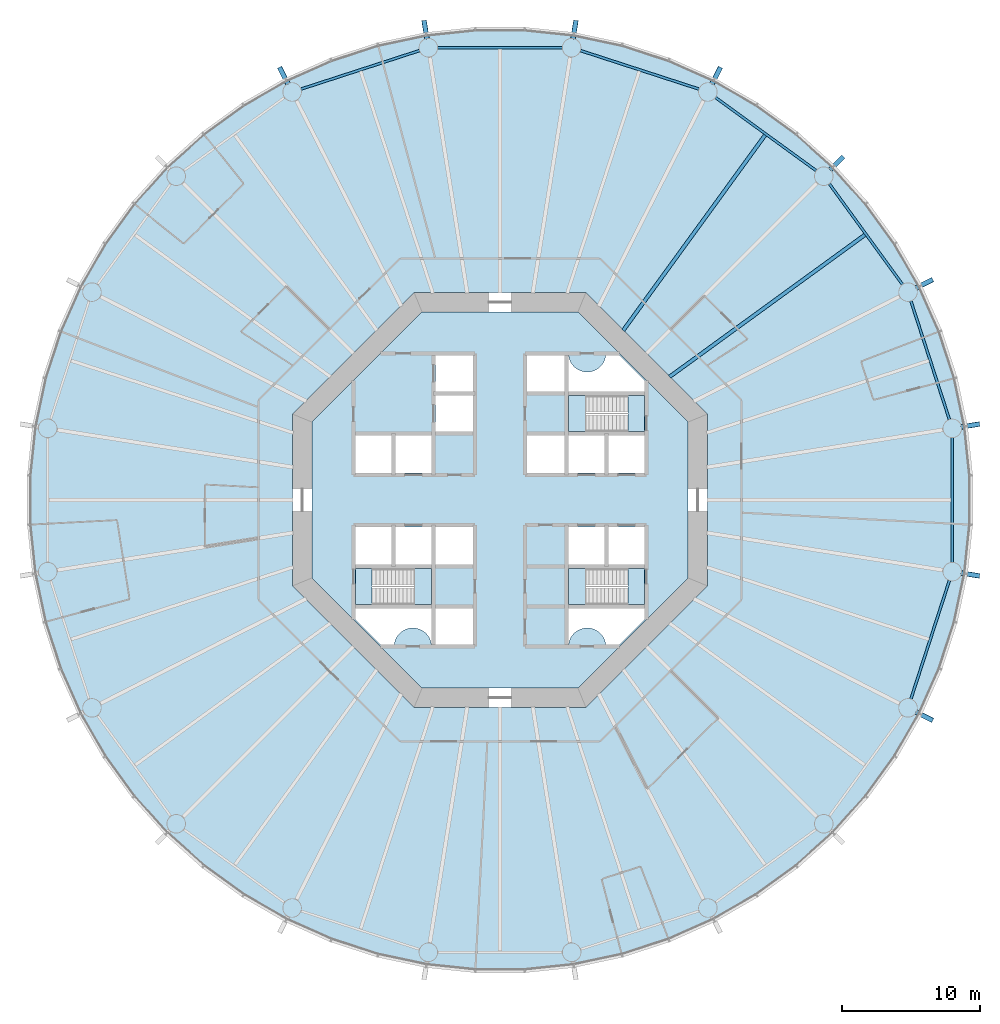
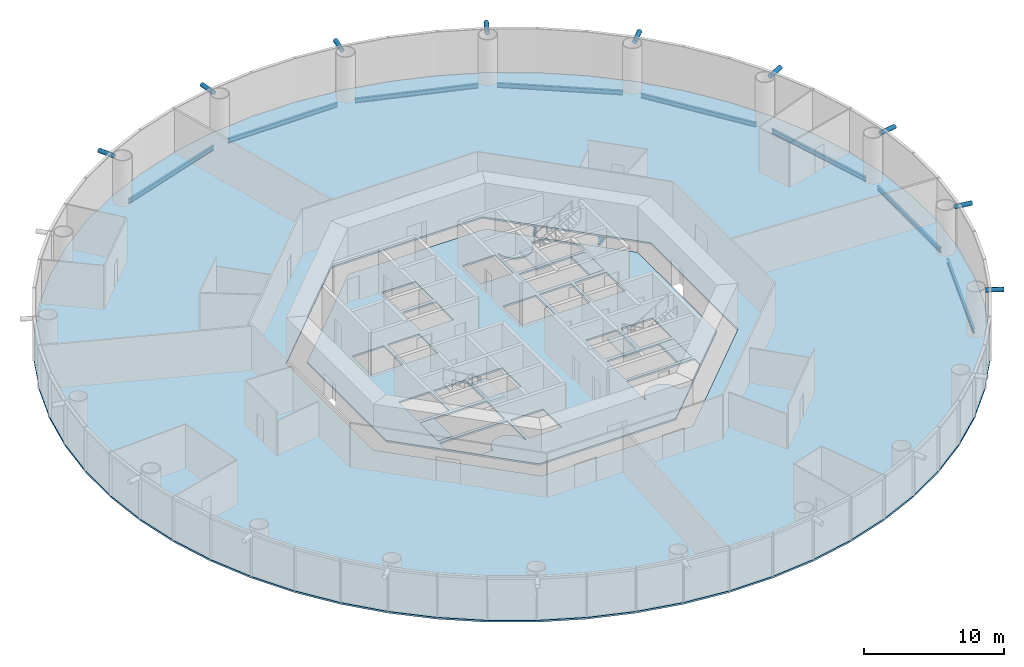
# One storey, part 2 of 12: 10 beams, 9 members, 8 slabs, 3 elements without a shape of their own.
"""IFC4 building model written with IfcOpenShell, lengths in metres."""

from ifc_helpers import new_model, si_unit, direction, frame, origin, origin_2d, place, context, subcontext, project, spatial, polyline, circle, hollow_circle, i_section, outline, extrude, material, layer, layer_set, material_profile, profile_set, type_object, element, aggregate, save


model = new_model("IFC4")

# Units and contexts
model_context = context("Model", 3, precision=1e-05, world=origin(), true_north=direction((0.0, 1.0)))
body_context = subcontext(model_context, "Body", "Model", "MODEL_VIEW")
ifc_project = project(units=[si_unit("LENGTHUNIT", "METRE"), si_unit("AREAUNIT", "SQUARE_METRE"), si_unit("VOLUMEUNIT", "CUBIC_METRE"), si_unit("PLANEANGLEUNIT", "RADIAN"), si_unit("MASSUNIT", "GRAM", prefix="KILO")], contexts=[model_context])

# Site, building, storey
site_placement = place(None, origin())
site = spatial("IfcSite", under=ifc_project, at=site_placement, CompositionType="ELEMENT")
building_placement = place(site_placement, origin())
building = spatial("IfcBuilding", under=site, at=building_placement, Name="Entoto Ring Tower", CompositionType="ELEMENT")
storey_placement = place(building_placement, frame((0.0, 0.0, 70.0)))
storey = spatial("IfcBuildingStorey", under=building, at=storey_placement, Name="L15", CompositionType="ELEMENT", Elevation=70.0)

# Members
ifc_material_1 = material(Name="Steel S355", Category="steel")
ifc_material_profile_1 = material_profile(ifc_material_1, hollow_circle(Radius=0.177734375, WallThickness=0.01611328125, at=origin_2d()), Name="CHS 355.6 x 16")
ifc_material_2 = material(Name="Concrete C60/75", Category="concrete")
ifc_material_profile_2 = material_profile(ifc_material_2, circle(Radius=0.161865234375, at=origin_2d()), Name="Concrete C60/75 infill")
ifc_profile_set_1 = profile_set([ifc_material_profile_1, ifc_material_profile_2], Name="Steel S355")
member_type = type_object("IfcMemberType", Name="Diagrid node strut 355.6 x 16", PredefinedType="STRUT", material=ifc_profile_set_1)
member_1_placement = place(storey_placement, frame((123.34130859375, 85.28076171875, 3.672119140625), z_axis=(0.987678819889, 0.156494564579, 0.0), x_axis=(-0.156494564579, 0.987678819889, 0.0)))
element("IfcMember", 1, at=member_1_placement, inside=storey, type_object=member_type, Name="DS1 strut ring 4 01", PredefinedType="STRUT", context=body_context, shape_type="SweptSolid", body=[
    extrude(hollow_circle(Radius=0.177734375, WallThickness=0.01611328125, at=origin_2d()), origin(), (0.0, 0.0, 1.0), 1.34326171875),
])
member_2_placement = place(storey_placement, frame((120.07763671875, 95.325439453125, 3.672119140625), z_axis=(0.891057529727, 0.453890381829, 0.0), x_axis=(-0.453890381829, 0.891057529727, 0.0)))
element("IfcMember", 2, at=member_2_placement, inside=storey, type_object=member_type, Name="DS1 strut ring 4 02", PredefinedType="STRUT", context=body_context, shape_type="SweptSolid", body=[
    extrude(hollow_circle(Radius=0.177734375, WallThickness=0.01611328125, at=origin_2d()), origin(), (0.0, 0.0, 1.0), 1.343017578125),
])
member_3_placement = place(storey_placement, frame((113.869873046875, 103.869873046875, 3.672119140625), z_axis=(0.707106781187, 0.707106781187, 0.0), x_axis=(-0.707106781187, 0.707106781187, 0.0)))
element("IfcMember", 3, at=member_3_placement, inside=storey, type_object=member_type, Name="DS1 strut ring 4 03", PredefinedType="STRUT", context=body_context, shape_type="SweptSolid", body=[
    extrude(hollow_circle(Radius=0.177734375, WallThickness=0.01611328125, at=origin_2d()), origin(), (0.0, 0.0, 1.0), 1.3427734375),
])
member_4_placement = place(storey_placement, frame((105.325439453125, 110.07763671875, 3.672119140625), z_axis=(0.453890381829, 0.891057529727, 0.0), x_axis=(-0.891057529727, 0.453890381829, 0.0)))
element("IfcMember", 4, at=member_4_placement, inside=storey, type_object=member_type, Name="DS1 strut ring 4 04", PredefinedType="STRUT", context=body_context, shape_type="SweptSolid", body=[
    extrude(hollow_circle(Radius=0.177734375, WallThickness=0.01611328125, at=origin_2d()), origin(), (0.0, 0.0, 1.0), 1.343017578125),
])
for number, where, z_axis, x_axis, name in (
    (5, (95.28076171875, 113.34130859375, 3.672119140625), (0.156494564579, 0.987678819889, 0.0), (-0.987678819889, 0.156494564579, 0.0), "DS1 strut ring 4 05"),
    (6, (84.71923828125, 113.34130859375, 3.672119140625), (-0.156494564579, 0.987678819889, 0.0), (-0.987678819889, -0.156494564579, 0.0), "DS1 strut ring 4 06"),
):
    element("IfcMember", number, at=place(storey_placement, frame(where, z_axis=z_axis, x_axis=x_axis)), inside=storey, type_object=member_type, Name=name, PredefinedType="STRUT", context=body_context, shape_type="SweptSolid", body=[
        extrude(hollow_circle(Radius=0.177734375, WallThickness=0.01611328125, at=origin_2d()), origin(), (0.0, 0.0, 1.0), 1.34326171875),
    ])
for number, where, z_axis, x_axis, name in (
    (7, (74.674560546875, 110.07763671875, 3.672119140625), (-0.453890381829, 0.891057529727, 0.0), (-0.891057529727, -0.453890381829, 0.0), "DS1 strut ring 4 07"),
    (8, (120.07763671875, 64.674560546875, 3.672119140625), (0.891057529727, -0.453890381829, 0.0), (0.453890381829, 0.891057529727, 0.0), "DS1 strut ring 4 19"),
):
    element("IfcMember", number, at=place(storey_placement, frame(where, z_axis=z_axis, x_axis=x_axis)), inside=storey, type_object=member_type, Name=name, PredefinedType="STRUT", context=body_context, shape_type="SweptSolid", body=[
        extrude(hollow_circle(Radius=0.177734375, WallThickness=0.01611328125, at=origin_2d()), origin(), (0.0, 0.0, 1.0), 1.343017578125),
    ])
member_5_placement = place(storey_placement, frame((123.34130859375, 74.71923828125, 3.672119140625), z_axis=(0.987678819889, -0.156494564579, 0.0), x_axis=(0.156494564579, 0.987678819889, 0.0)))
element("IfcMember", 9, at=member_5_placement, inside=storey, type_object=member_type, Name="DS1 strut ring 4 20", PredefinedType="STRUT", context=body_context, shape_type="SweptSolid", body=[
    extrude(hollow_circle(Radius=0.177734375, WallThickness=0.01611328125, at=origin_2d()), origin(), (0.0, 0.0, 1.0), 1.34326171875),
])

# Beams
ifc_material_3 = material(Name="Steel S355", Category="steel")
ifc_material_profile_3 = material_profile(ifc_material_3, i_section(OverallWidth=0.179931640625, OverallDepth=0.39990234375, WebThickness=0.008544921875, FlangeThickness=0.013427734375, FilletRadius=0.02099609375, at=origin_2d()), Name="IPE 400")
ifc_profile_set_2 = profile_set([ifc_material_profile_3], Name="Steel S355")
beam_type_1 = type_object("IfcBeamType", Name="Edge beam IPE 400", PredefinedType="SPANDREL", material=ifc_profile_set_2)
for number, where, z_axis, x_axis, name in (
    (10, (122.484130859375, 85.819091796875, -0.35009765625), (-0.309006400295, 0.951059958455, 0.0), (-0.951059958455, -0.309006400295, 0.0), "Edge beam L15 01"),
    (11, (119.09619140625, 95.572509765625, -0.35009765625), (-0.587792917156, 0.80901142547, 0.0), (-0.80901142547, -0.587792917156, 0.0), "Edge beam L15 02"),
    (12, (112.85986328125, 103.801513671875, -0.35009765625), (-0.80901142547, 0.587792917156, 0.0), (-0.587792917156, -0.80901142547, 0.0), "Edge beam L15 03"),
    (13, (104.385986328125, 109.70068359375, -0.35009765625), (-0.951059958455, 0.309006400295, 0.0), (-0.309006400295, -0.951059958455, 0.0), "Edge beam L15 04"),
    (14, (94.50390625, 112.6923828125, -0.35009765625), (-1.0, 0.0, 0.0), (0.0, -1.0, 0.0), "Edge beam L15 05"),
    (15, (84.180908203125, 112.484130859375, -0.35009765625), (-0.951059958455, -0.309006400295, 0.0), (0.309006400295, -0.951059958455, 0.0), "Edge beam L15 06"),
    (16, (119.70068359375, 65.614013671875, -0.35009765625), (0.309006400295, 0.951059958455, 0.0), (-0.951059958455, 0.309006400295, 0.0), "Edge beam L15 19"),
    (17, (122.6923828125, 75.49609375, -0.35009765625), (0.0, 1.0, 0.0), (-1.0, 0.0, 0.0), "Edge beam L15 20"),
):
    element("IfcBeam", number, at=place(storey_placement, frame(where, z_axis=z_axis, x_axis=x_axis)), inside=storey, type_object=beam_type_1, Name=name, PredefinedType="SPANDREL", context=body_context, shape_type="SweptSolid", body=[
        extrude(i_section(OverallWidth=0.179931640625, OverallDepth=0.39990234375, WebThickness=0.008544921875, FlangeThickness=0.013427734375, FilletRadius=0.02099609375, at=origin_2d()), origin(), (0.0, 0.0, 1.0), 9.0078125),
    ])
ifc_material_4 = material(Name="Steel S355", Category="steel")
ifc_material_profile_4 = material_profile(ifc_material_4, i_section(OverallWidth=0.262939453125, OverallDepth=0.7529296875, WebThickness=0.011474609375, FlangeThickness=0.01708984375, FilletRadius=0.01708984375, at=origin_2d()), Name="IPE 750 x 137")
ifc_profile_set_3 = profile_set([ifc_material_profile_4], Name="Steel S355")
beam_type_2 = type_object("IfcBeamType", Name="Secondary floor beam IPE 750 x 137", PredefinedType="JOIST", material=ifc_profile_set_3)
for number, where, z_axis, x_axis, name in (
    (18, (102.25341796875, 88.902587890625, -0.526611328125), (0.809014194973, 0.58778910532, 0.0), (-0.58778910532, 0.809014194973, 0.0), "Secondary beam L15 02"),
    (19, (98.902587890625, 92.25341796875, -0.526611328125), (0.58778910532, 0.809014194973, 0.0), (-0.809014194973, 0.58778910532, 0.0), "Secondary beam L15 03"),
):
    element("IfcBeam", number, at=place(storey_placement, frame(where, z_axis=z_axis, x_axis=x_axis)), inside=storey, type_object=beam_type_2, Name=name, PredefinedType="JOIST", context=body_context, shape_type="SweptSolid", body=[
        extrude(i_section(OverallWidth=0.262939453125, OverallDepth=0.7529296875, WebThickness=0.011474609375, FlangeThickness=0.01708984375, FilletRadius=0.01708984375, at=origin_2d()), origin(), (0.0, 0.0, 1.0), 17.45654296875),
    ])

# Slabs
ifc_material_5 = material(Name="Concrete C30/37", Category="concrete")
ifc_layer_1 = layer(ifc_material_5, 0.14990234375)
ifc_layer_set_1 = layer_set([ifc_layer_1], Name="Concrete C30/37")
slab_type_1 = type_object("IfcSlabType", Name="Composite floor slab 150 mm", PredefinedType="FLOOR", material=ifc_layer_set_1)
slab_1_placement = place(storey_placement, frame((0.0, 0.0, -0.14990234375)))
element("IfcSlab", 20, at=slab_1_placement, inside=storey, type_object=slab_type_1, Name="Floor slab L15", PredefinedType="FLOOR", context=body_context, shape_type="SweptSolid", body=[
    extrude(outline(polyline([(123.68017578125, 85.33447265625), (122.93798828125, 88.82568359375), (121.835205078125, 92.220458984375), (120.38330078125, 95.48095703125), (118.5986328125, 98.572265625), (116.500732421875, 101.459716796875), (114.1123046875, 104.1123046875), (111.459716796875, 106.500732421875), (108.572265625, 108.5986328125), (105.48095703125, 110.38330078125), (102.220458984375, 111.835205078125), (98.82568359375, 112.93798828125), (95.33447265625, 113.68017578125), (91.78466796875, 114.05322265625), (88.21533203125, 114.05322265625), (84.66552734375, 113.68017578125), (81.17431640625, 112.93798828125), (77.779541015625, 111.835205078125), (74.51904296875, 110.38330078125), (71.427734375, 108.5986328125), (68.540283203125, 106.500732421875), (65.8876953125, 104.1123046875), (63.499267578125, 101.459716796875), (61.4013671875, 98.572265625), (59.61669921875, 95.48095703125), (58.164794921875, 92.220458984375), (57.06201171875, 88.82568359375), (56.31982421875, 85.33447265625), (55.94677734375, 81.78466796875), (55.94677734375, 78.21533203125), (56.31982421875, 74.66552734375), (57.06201171875, 71.17431640625), (58.164794921875, 67.779541015625), (59.61669921875, 64.51904296875), (61.4013671875, 61.427734375), (63.499267578125, 58.540283203125), (65.8876953125, 55.8876953125), (68.540283203125, 53.499267578125), (71.427734375, 51.4013671875), (74.51904296875, 49.61669921875), (77.779541015625, 48.164794921875), (81.17431640625, 47.06201171875), (84.66552734375, 46.31982421875), (88.21533203125, 45.94677734375), (91.78466796875, 45.94677734375), (95.33447265625, 46.31982421875), (98.82568359375, 47.06201171875), (102.220458984375, 48.164794921875), (105.48095703125, 49.61669921875), (108.572265625, 51.4013671875), (111.459716796875, 53.499267578125), (114.1123046875, 55.8876953125), (116.500732421875, 58.540283203125), (118.5986328125, 61.427734375), (120.38330078125, 64.51904296875), (121.835205078125, 67.779541015625), (122.93798828125, 71.17431640625), (123.68017578125, 74.66552734375), (124.05322265625, 78.21533203125), (124.05322265625, 81.78466796875), (123.68017578125, 85.33447265625)]), holes=[polyline([(105.0, 73.786865234375), (105.0, 86.213134765625), (96.213134765625, 95.0), (83.786865234375, 95.0), (75.0, 86.213134765625), (75.0, 73.786865234375), (83.786865234375, 65.0), (96.213134765625, 65.0), (105.0, 73.786865234375)])]), origin(), (0.0, 0.0, 1.0), 0.14990234375),
])
ifc_material_6 = material(Name="Concrete C40/50", Category="concrete")
ifc_layer_2 = layer(ifc_material_6, 0.14990234375)
ifc_layer_set_2 = layer_set([ifc_layer_2], Name="Concrete C40/50")
slab_type_2 = type_object("IfcSlabType", Name="Core floor slab 150 mm reinforced concrete C40/50", PredefinedType="FLOOR", material=ifc_layer_set_2)
slab_2_placement = place(storey_placement, frame((0.0, 0.0, -0.14990234375)))
element("IfcSlab", 21, at=slab_2_placement, inside=storey, type_object=slab_type_2, Name="Core floor L15", PredefinedType="FLOOR", context=body_context, shape_type="SweptSolid", body=[
    extrude(outline(polyline([(103.60009765625, 74.36669921875), (103.60009765625, 85.63330078125), (95.63330078125, 93.60009765625), (84.36669921875, 93.60009765625), (76.39990234375, 85.63330078125), (76.39990234375, 74.36669921875), (84.36669921875, 66.39990234375), (95.63330078125, 66.39990234375), (103.60009765625, 74.36669921875)]), holes=[polyline([(100.449951171875, 84.949951171875), (100.449951171875, 87.550048828125), (94.949951171875, 87.550048828125), (94.949951171875, 84.949951171875), (100.449951171875, 84.949951171875)]), polyline([(85.050048828125, 72.449951171875), (85.050048828125, 75.050048828125), (79.550048828125, 75.050048828125), (79.550048828125, 72.449951171875), (85.050048828125, 72.449951171875)]), polyline([(100.449951171875, 72.449951171875), (100.449951171875, 75.050048828125), (94.949951171875, 75.050048828125), (94.949951171875, 72.449951171875), (100.449951171875, 72.449951171875)]), polyline([(94.949951171875, 81.949951171875), (97.550048828125, 81.949951171875), (97.550048828125, 84.64990234375), (94.949951171875, 84.64990234375), (94.949951171875, 81.949951171875)]), polyline([(97.85009765625, 81.949951171875), (100.449951171875, 81.949951171875), (100.449951171875, 84.64990234375), (97.85009765625, 84.64990234375), (97.85009765625, 81.949951171875)]), polyline([(82.449951171875, 81.949951171875), (85.050048828125, 81.949951171875), (85.050048828125, 84.64990234375), (82.449951171875, 84.64990234375), (82.449951171875, 81.949951171875)]), polyline([(94.949951171875, 75.35009765625), (97.550048828125, 75.35009765625), (97.550048828125, 78.050048828125), (94.949951171875, 78.050048828125), (94.949951171875, 75.35009765625)]), polyline([(97.85009765625, 75.35009765625), (100.449951171875, 75.35009765625), (100.449951171875, 78.050048828125), (97.85009765625, 78.050048828125), (97.85009765625, 75.35009765625)]), polyline([(82.449951171875, 75.35009765625), (85.050048828125, 75.35009765625), (85.050048828125, 78.050048828125), (82.449951171875, 78.050048828125), (82.449951171875, 75.35009765625)]), polyline([(79.550048828125, 81.949951171875), (82.14990234375, 81.949951171875), (82.14990234375, 84.64990234375), (79.550048828125, 84.64990234375), (79.550048828125, 81.949951171875)]), polyline([(79.550048828125, 75.35009765625), (82.14990234375, 75.35009765625), (82.14990234375, 78.050048828125), (79.550048828125, 78.050048828125), (79.550048828125, 75.35009765625)]), polyline([(91.949951171875, 87.85009765625), (94.64990234375, 87.85009765625), (94.64990234375, 90.449951171875), (91.949951171875, 90.449951171875), (91.949951171875, 87.85009765625)]), polyline([(85.35009765625, 69.550048828125), (88.050048828125, 69.550048828125), (88.050048828125, 72.14990234375), (85.35009765625, 72.14990234375), (85.35009765625, 69.550048828125)]), polyline([(91.949951171875, 81.949951171875), (94.64990234375, 81.949951171875), (94.64990234375, 84.64990234375), (91.949951171875, 84.64990234375), (91.949951171875, 81.949951171875)]), polyline([(85.35009765625, 75.35009765625), (88.050048828125, 75.35009765625), (88.050048828125, 78.050048828125), (85.35009765625, 78.050048828125), (85.35009765625, 75.35009765625)]), polyline([(85.35009765625, 84.949951171875), (88.050048828125, 84.949951171875), (88.050048828125, 87.550048828125), (85.35009765625, 87.550048828125), (85.35009765625, 84.949951171875)]), polyline([(85.35009765625, 87.85009765625), (88.050048828125, 87.85009765625), (88.050048828125, 90.449951171875), (85.35009765625, 90.449951171875), (85.35009765625, 87.85009765625)]), polyline([(94.89990234375, 90.5), (94.89990234375, 87.800048828125), (100.5, 87.800048828125), (100.5, 88.591796875), (98.591796875, 90.5), (97.64501953125, 90.5), (97.6435546875, 90.4677734375), (97.6240234375, 90.336669921875), (97.591796875, 90.2080078125), (97.547119140625, 90.08349609375), (97.490478515625, 89.963623046875), (97.422607421875, 89.85009765625), (97.343505859375, 89.74365234375), (97.254638671875, 89.6455078125), (97.156494140625, 89.556396484375), (97.050048828125, 89.4775390625), (96.936279296875, 89.409423828125), (96.816650390625, 89.352783203125), (96.69189453125, 89.30810546875), (96.5634765625, 89.27587890625), (96.432373046875, 89.256591796875), (96.300048828125, 89.25), (96.167724609375, 89.256591796875), (96.03662109375, 89.27587890625), (95.908203125, 89.30810546875), (95.783447265625, 89.352783203125), (95.66357421875, 89.409423828125), (95.550048828125, 89.4775390625), (95.443603515625, 89.556396484375), (95.345458984375, 89.6455078125), (95.25634765625, 89.74365234375), (95.177490234375, 89.85009765625), (95.109375, 89.963623046875), (95.052734375, 90.08349609375), (95.008056640625, 90.2080078125), (94.975830078125, 90.336669921875), (94.95654296875, 90.4677734375), (94.954833984375, 90.5), (94.89990234375, 90.5)]), polyline([(79.5, 71.408203125), (81.408203125, 69.5), (82.35498046875, 69.5), (82.3564453125, 69.5322265625), (82.3759765625, 69.663330078125), (82.408203125, 69.7919921875), (82.452880859375, 69.91650390625), (82.509521484375, 70.036376953125), (82.577392578125, 70.14990234375), (82.656494140625, 70.25634765625), (82.745361328125, 70.3544921875), (82.843505859375, 70.443603515625), (82.949951171875, 70.5224609375), (83.063720703125, 70.590576171875), (83.183349609375, 70.647216796875), (83.30810546875, 70.69189453125), (83.4365234375, 70.72412109375), (83.567626953125, 70.743408203125), (83.699951171875, 70.75), (83.832275390625, 70.743408203125), (83.96337890625, 70.72412109375), (84.091796875, 70.69189453125), (84.216552734375, 70.647216796875), (84.33642578125, 70.590576171875), (84.449951171875, 70.5224609375), (84.556396484375, 70.443603515625), (84.654541015625, 70.3544921875), (84.74365234375, 70.25634765625), (84.822509765625, 70.14990234375), (84.890625, 70.036376953125), (84.947265625, 69.91650390625), (84.991943359375, 69.7919921875), (85.024169921875, 69.663330078125), (85.04345703125, 69.5322265625), (85.045166015625, 69.5), (85.10009765625, 69.5), (85.10009765625, 72.199951171875), (79.5, 72.199951171875), (79.5, 71.408203125)]), polyline([(97.64501953125, 69.5), (98.591796875, 69.5), (100.5, 71.408203125), (100.5, 72.199951171875), (94.89990234375, 72.199951171875), (94.89990234375, 69.5), (94.954833984375, 69.5), (94.95654296875, 69.5322265625), (94.975830078125, 69.663330078125), (95.008056640625, 69.7919921875), (95.052734375, 69.91650390625), (95.109375, 70.036376953125), (95.177490234375, 70.14990234375), (95.25634765625, 70.25634765625), (95.345458984375, 70.3544921875), (95.443603515625, 70.443603515625), (95.550048828125, 70.5224609375), (95.66357421875, 70.590576171875), (95.783447265625, 70.647216796875), (95.908203125, 70.69189453125), (96.03662109375, 70.72412109375), (96.167724609375, 70.743408203125), (96.300048828125, 70.75), (96.432373046875, 70.743408203125), (96.5634765625, 70.72412109375), (96.69189453125, 70.69189453125), (96.816650390625, 70.647216796875), (96.936279296875, 70.590576171875), (97.050048828125, 70.5224609375), (97.156494140625, 70.443603515625), (97.254638671875, 70.3544921875), (97.343505859375, 70.25634765625), (97.422607421875, 70.14990234375), (97.490478515625, 70.036376953125), (97.547119140625, 69.91650390625), (97.591796875, 69.7919921875), (97.6240234375, 69.663330078125), (97.6435546875, 69.5322265625), (97.64501953125, 69.5)])]), origin(), (0.0, 0.0, 1.0), 0.14990234375),
])

# Stair, slabs
ifc_material_7 = material(Name="Concrete C40/50", Category="concrete")
stair_type = type_object("IfcStairType", Name="Exit stair 1200 mm dog-leg reinforced concrete", PredefinedType="HALF_TURN_STAIR", material=ifc_material_7)
stair_1_placement = place(storey_placement, origin())
stair_1 = element("IfcStair", 22, at=stair_1_placement, inside=storey, type_object=stair_type, Name="Exit stair 1", PredefinedType="HALF_TURN_STAIR")
ifc_material_8 = material(Name="Concrete C40/50", Category="concrete")
ifc_layer_3 = layer(ifc_material_8, 0.199951171875)
ifc_layer_set_3 = layer_set([ifc_layer_3], Name="Concrete C40/50")
slab_type_3 = type_object("IfcSlabType", Name="Stair landing 200 mm reinforced concrete", PredefinedType="LANDING", material=ifc_layer_set_3)
slab_3_placement = place(storey_placement, frame((0.0, 0.0, -0.199951171875)))
slab_3 = element("IfcSlab", 23, at=slab_3_placement, type_object=slab_type_3, Name="ST1 landing 1", PredefinedType="LANDING", context=body_context, shape_type="SweptSolid", body=[
    extrude(outline(polyline([(100.449951171875, 84.949951171875), (100.449951171875, 87.550048828125), (99.25, 87.550048828125), (99.25, 84.949951171875), (100.449951171875, 84.949951171875)])), origin(), (0.0, 0.0, 1.0), 0.199951171875),
])
slab_4_placement = place(storey_placement, frame((0.0, 0.0, 1.800048828125)))
slab_4 = element("IfcSlab", 24, at=slab_4_placement, type_object=slab_type_3, Name="ST1 landing 2", PredefinedType="LANDING", context=body_context, shape_type="SweptSolid", body=[
    extrude(outline(polyline([(94.949951171875, 84.949951171875), (96.169921875, 84.949951171875), (96.169921875, 87.550048828125), (94.949951171875, 87.550048828125), (94.949951171875, 84.949951171875)])), origin(), (0.0, 0.0, 1.0), 0.199951171875),
])
aggregate(stair_1, [slab_3, slab_4])

stair_2_placement = place(storey_placement, origin())
stair_2 = element("IfcStair", 25, at=stair_2_placement, inside=storey, type_object=stair_type, Name="Exit stair 2", PredefinedType="HALF_TURN_STAIR")
slab_5_placement = place(storey_placement, frame((0.0, 0.0, -0.199951171875)))
slab_5 = element("IfcSlab", 26, at=slab_5_placement, type_object=slab_type_3, Name="ST2 landing 1", PredefinedType="LANDING", context=body_context, shape_type="SweptSolid", body=[
    extrude(outline(polyline([(80.75, 72.449951171875), (80.75, 75.050048828125), (79.550048828125, 75.050048828125), (79.550048828125, 72.449951171875), (80.75, 72.449951171875)])), origin(), (0.0, 0.0, 1.0), 0.199951171875),
])
slab_6_placement = place(storey_placement, frame((0.0, 0.0, 1.800048828125)))
slab_6 = element("IfcSlab", 27, at=slab_6_placement, type_object=slab_type_3, Name="ST2 landing 2", PredefinedType="LANDING", context=body_context, shape_type="SweptSolid", body=[
    extrude(outline(polyline([(83.830078125, 72.449951171875), (85.050048828125, 72.449951171875), (85.050048828125, 75.050048828125), (83.830078125, 75.050048828125), (83.830078125, 72.449951171875)])), origin(), (0.0, 0.0, 1.0), 0.199951171875),
])
aggregate(stair_2, [slab_5, slab_6])

stair_3_placement = place(storey_placement, origin())
stair_3 = element("IfcStair", 28, at=stair_3_placement, inside=storey, type_object=stair_type, Name="Exit stair 3", PredefinedType="HALF_TURN_STAIR")
slab_7_placement = place(storey_placement, frame((0.0, 0.0, -0.199951171875)))
slab_7 = element("IfcSlab", 29, at=slab_7_placement, type_object=slab_type_3, Name="ST3 landing 1", PredefinedType="LANDING", context=body_context, shape_type="SweptSolid", body=[
    extrude(outline(polyline([(100.449951171875, 72.449951171875), (100.449951171875, 75.050048828125), (99.25, 75.050048828125), (99.25, 72.449951171875), (100.449951171875, 72.449951171875)])), origin(), (0.0, 0.0, 1.0), 0.199951171875),
])
slab_8_placement = place(storey_placement, frame((0.0, 0.0, 1.800048828125)))
slab_8 = element("IfcSlab", 30, at=slab_8_placement, type_object=slab_type_3, Name="ST3 landing 2", PredefinedType="LANDING", context=body_context, shape_type="SweptSolid", body=[
    extrude(outline(polyline([(94.949951171875, 72.449951171875), (96.169921875, 72.449951171875), (96.169921875, 75.050048828125), (94.949951171875, 75.050048828125), (94.949951171875, 72.449951171875)])), origin(), (0.0, 0.0, 1.0), 0.199951171875),
])
aggregate(stair_3, [slab_7, slab_8])

save(model, "model.ifc")
